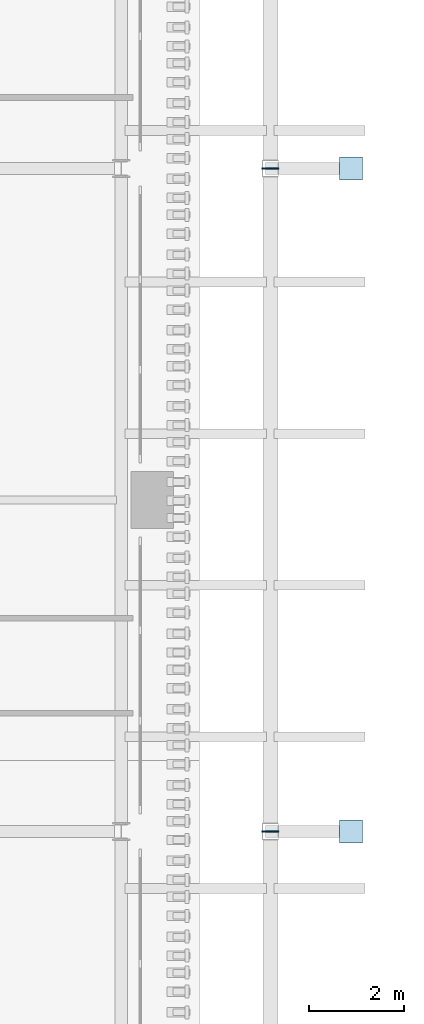
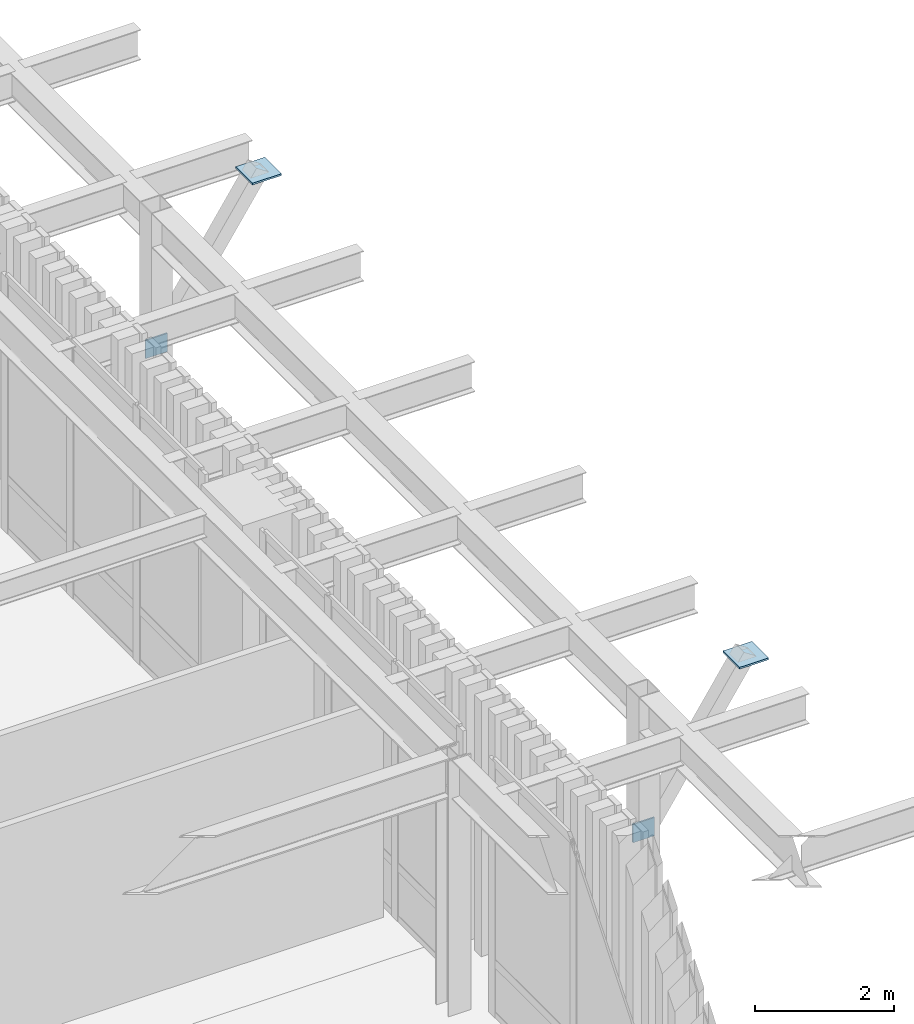
# One storey, part 85 of 126: 4 plates.
"""IFC4 building model written with IfcOpenShell, lengths in metres."""

from ifc_helpers import new_model, si_unit, derived_unit, direction, frame, origin, origin_2d, place, context, subcontext, project, spatial, rectangle, extrude, material, layer, layer_set, type_object, element, save


model = new_model("IFC4")

# Units and contexts
model_context = context("Model", 3, precision=1e-05, world=origin(), true_north=direction((0.0, 1.0)))
body_context = subcontext(model_context, "Body", "Model", "MODEL_VIEW")
ifc_project = project(units=[si_unit("LENGTHUNIT", "METRE"), si_unit("AREAUNIT", "SQUARE_METRE"), si_unit("VOLUMEUNIT", "CUBIC_METRE"), si_unit("PLANEANGLEUNIT", "RADIAN"), si_unit("MASSUNIT", "GRAM", prefix="KILO"), derived_unit("THERMALTRANSMITTANCEUNIT", [(si_unit("MASSUNIT", "GRAM", prefix="KILO"), 1), (si_unit("TIMEUNIT", "SECOND"), -3), (si_unit("THERMODYNAMICTEMPERATUREUNIT", "KELVIN"), -1)])], contexts=[model_context])

# Site, building, storey
site_placement = place(None, origin())
site = spatial("IfcSite", under=ifc_project, at=site_placement, CompositionType="ELEMENT")
building_placement = place(site_placement, origin())
building = spatial("IfcBuilding", under=site, at=building_placement, Name="Valcora Ridge Arena", CompositionType="ELEMENT")
storey_placement = place(building_placement, frame((0.0, 0.0, 11.39990234375)))
storey = spatial("IfcBuildingStorey", under=building, at=storey_placement, Name="L02", CompositionType="ELEMENT", Elevation=11.39990234375)

# Plates
ifc_material = material(Name="Steel ASTM A572 Grade 50", Category="steel")
ifc_layer_1 = layer(ifc_material, 0.031982421875, Name="Steel ASTM A572 Grade 50")
ifc_layer_set_1 = layer_set([ifc_layer_1], Name="Steel ASTM A572 Grade 50")
plate_type_1 = type_object("IfcPlateType", Name="TY-PLATE-PL-CAP-450", PredefinedType="USERDEFINED", material=ifc_layer_set_1)
for number, where, z_axis, x_axis, name in (
    (1, (191.64990234375, 40.0, 4.4482421875), (0.0, 0.0, 1.0), (1.0, 0.0, 0.0), "PL-CAP-450 KB-GP-0008"),
    (2, (191.64990234375, 54.0, 4.4482421875), (0.0, 0.0, 1.0), (1.0, 0.0, 0.0), "PL-CAP-450 KB-GP-0010"),
):
    element("IfcPlate", number, at=place(storey_placement, frame(where, z_axis=z_axis, x_axis=x_axis)), inside=storey, type_object=plate_type_1, Name=name, ObjectType="GUSSET_PLATE", PredefinedType="USERDEFINED", context=body_context, shape_type="SweptSolid", body=[
        extrude(rectangle(XDim=0.47998046875, YDim=0.47998046875, at=origin_2d()), origin(), (0.0, 0.0, 1.0), 0.031982421875),
    ])
ifc_layer_2 = layer(ifc_material, 0.02490234375, Name="Steel ASTM A572 Grade 50")
ifc_layer_set_2 = layer_set([ifc_layer_2], Name="Steel ASTM A572 Grade 50")
plate_type_2 = type_object("IfcPlateType", Name="TY-PLATE-PL-GUS-25E", PredefinedType="USERDEFINED", material=ifc_layer_set_2)
for number, where, z_axis, x_axis, name in (
    (3, (189.949951171875, 40.0, 1.83984375), (0.0, 0.0, 1.0), (1.0, 0.0, 0.0), "PL-GUS-25E KB-GP-0026"),
    (4, (189.949951171875, 54.0, 1.83984375), (0.0, 0.0, 1.0), (1.0, 0.0, 0.0), "PL-GUS-25E KB-GP-0028"),
):
    element("IfcPlate", number, at=place(storey_placement, frame(where, z_axis=z_axis, x_axis=x_axis)), inside=storey, type_object=plate_type_2, Name=name, ObjectType="GUSSET_PLATE", PredefinedType="USERDEFINED", context=body_context, shape_type="SweptSolid", body=[
        extrude(rectangle(XDim=0.360107421875, YDim=0.02490234375, at=origin_2d()), origin(), (0.0, 0.0, 1.0), 0.320068359375),
    ])

save(model, "model.ifc")
